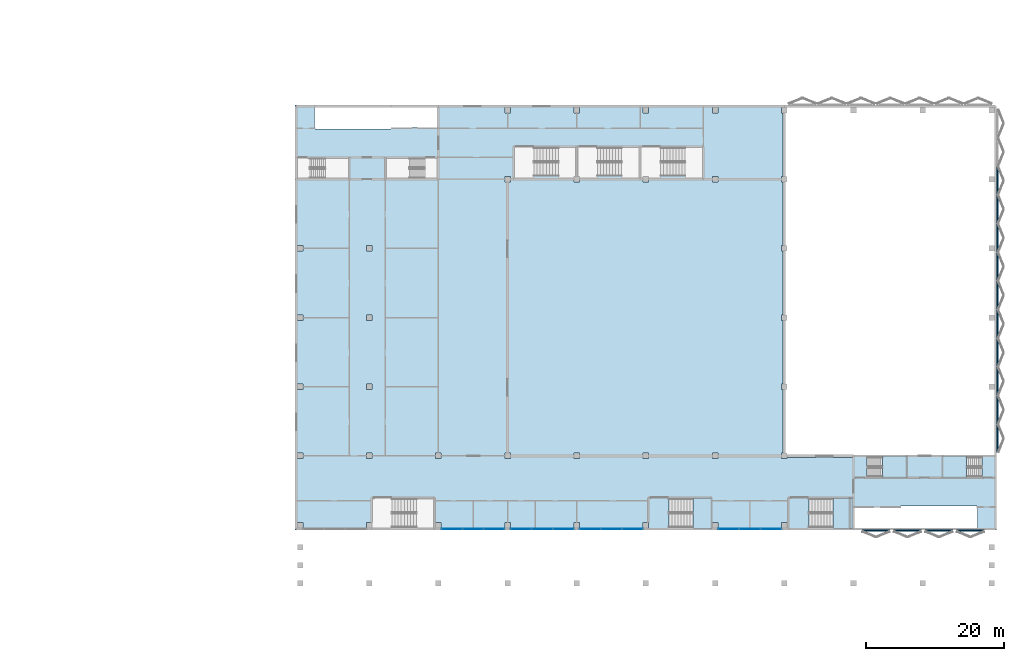
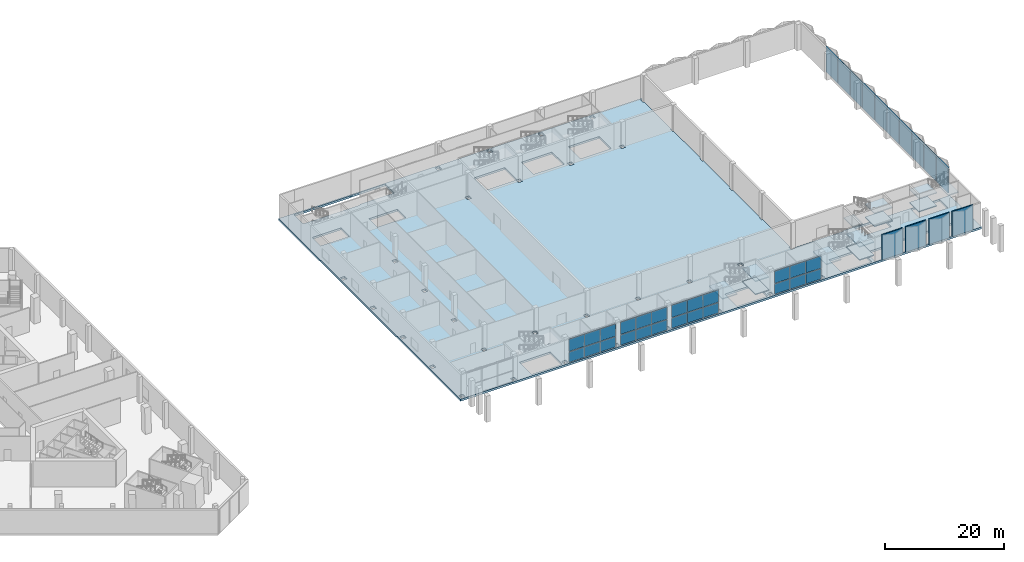
# One storey, part 5 of 35: 38 plates, 13 slabs, 8 elements without a shape of their own.
"""IFC4 building model written with IfcOpenShell, lengths in metres."""

from ifc_helpers import new_model, si_unit, direction, frame, origin, origin_2d, place, context, subcontext, project, spatial, polyline, rectangle, outline, extrude, material, layer, layer_set, type_object, element, aggregate, save


model = new_model("IFC4")

# Units and contexts
model_context = context("Model", 3, precision=1e-05, world=origin(), true_north=direction((0.0, 1.0)))
body_context = subcontext(model_context, "Body", "Model", "MODEL_VIEW")
ifc_project = project(units=[si_unit("LENGTHUNIT", "METRE"), si_unit("AREAUNIT", "SQUARE_METRE"), si_unit("VOLUMEUNIT", "CUBIC_METRE"), si_unit("PLANEANGLEUNIT", "RADIAN"), si_unit("MASSUNIT", "GRAM", prefix="KILO")], contexts=[model_context])

# Site, building, storey
site_placement = place(None, origin())
site = spatial("IfcSite", under=ifc_project, at=site_placement, CompositionType="ELEMENT")
building_placement = place(site_placement, origin())
building = spatial("IfcBuilding", under=site, at=building_placement, Name="Jabali Bay Hotel Tower and Convention Centre", CompositionType="ELEMENT")
storey_placement = place(building_placement, frame((0.0, 0.0, 15.0)))
storey = spatial("IfcBuildingStorey", under=building, at=storey_placement, Name="L02", CompositionType="ELEMENT", Elevation=15.0)

# Curtain wall, plates
ifc_material_1 = material(Name="Aluminium 6063-T5 and glass", Category="aluminium")
curtain_wall_type = type_object("IfcCurtainWallType", Name="CC CW5 Unitised Curtain Wall", PredefinedType="NOTDEFINED", material=ifc_material_1)
curtain_wall_1_placement = place(storey_placement, origin())
curtain_wall_1 = element("IfcCurtainWall", 1, at=curtain_wall_1_placement, inside=storey, type_object=curtain_wall_type, Name="CC CW5 run 2", PredefinedType="NOTDEFINED")
ifc_material_2 = material(Name="Glass IGU 28", Category="glass")
ifc_layer_1 = layer(ifc_material_2, 0.028076171875)
ifc_layer_set_1 = layer_set([ifc_layer_1], Name="Glass IGU 28")
plate_type_1 = type_object("IfcPlateType", Name="CC Curtain Wall Glass Panel 28", PredefinedType="CURTAIN_PANEL", material=ifc_layer_set_1)
plate_1_placement = place(storey_placement, frame((172.6484375, 49.449951171875, 0.119873046875), z_axis=(0.0, 0.0, 1.0), x_axis=(1.0, 0.0, 0.0)))
plate_1 = element("IfcPlate", 2, at=plate_1_placement, type_object=plate_type_1, Name="CC-CW5 panel 1.1", PredefinedType="CURTAIN_PANEL", context=body_context, shape_type="SweptSolid", body=[
    extrude(rectangle(XDim=2.9765625, YDim=0.028076171875, at=origin_2d()), origin(), (0.0, 0.0, 1.0), 2.1201171875),
])
plate_2_placement = place(storey_placement, frame((172.6484375, 49.449951171875, 2.35986328125), z_axis=(0.0, 0.0, 1.0), x_axis=(1.0, 0.0, 0.0)))
plate_2 = element("IfcPlate", 3, at=plate_2_placement, type_object=plate_type_1, Name="CC-CW5 panel 1.2", PredefinedType="CURTAIN_PANEL", context=body_context, shape_type="SweptSolid", body=[
    extrude(rectangle(XDim=2.9765625, YDim=0.028076171875, at=origin_2d()), origin(), (0.0, 0.0, 1.0), 2.510009765625),
])
plate_3_placement = place(storey_placement, frame((175.699951171875, 49.449951171875, 0.119873046875), z_axis=(0.0, 0.0, 1.0), x_axis=(1.0, 0.0, 0.0)))
plate_3 = element("IfcPlate", 4, at=plate_3_placement, type_object=plate_type_1, Name="CC-CW5 panel 2.1", PredefinedType="CURTAIN_PANEL", context=body_context, shape_type="SweptSolid", body=[
    extrude(rectangle(XDim=3.006591796875, YDim=0.028076171875, at=origin_2d()), origin(), (0.0, 0.0, 1.0), 2.1201171875),
])
plate_4_placement = place(storey_placement, frame((175.699951171875, 49.449951171875, 2.35986328125), z_axis=(0.0, 0.0, 1.0), x_axis=(1.0, 0.0, 0.0)))
plate_4 = element("IfcPlate", 5, at=plate_4_placement, type_object=plate_type_1, Name="CC-CW5 panel 2.2", PredefinedType="CURTAIN_PANEL", context=body_context, shape_type="SweptSolid", body=[
    extrude(rectangle(XDim=3.006591796875, YDim=0.028076171875, at=origin_2d()), origin(), (0.0, 0.0, 1.0), 2.510009765625),
])
plate_5_placement = place(storey_placement, frame((178.751708984375, 49.449951171875, 0.119873046875), z_axis=(0.0, 0.0, 1.0), x_axis=(1.0, 0.0, 0.0)))
plate_5 = element("IfcPlate", 6, at=plate_5_placement, type_object=plate_type_1, Name="CC-CW5 panel 3.1", PredefinedType="CURTAIN_PANEL", context=body_context, shape_type="SweptSolid", body=[
    extrude(rectangle(XDim=2.9765625, YDim=0.028076171875, at=origin_2d()), origin(), (0.0, 0.0, 1.0), 2.1201171875),
])
plate_6_placement = place(storey_placement, frame((178.751708984375, 49.449951171875, 2.35986328125), z_axis=(0.0, 0.0, 1.0), x_axis=(1.0, 0.0, 0.0)))
plate_6 = element("IfcPlate", 7, at=plate_6_placement, type_object=plate_type_1, Name="CC-CW5 panel 3.2", PredefinedType="CURTAIN_PANEL", context=body_context, shape_type="SweptSolid", body=[
    extrude(rectangle(XDim=2.9765625, YDim=0.028076171875, at=origin_2d()), origin(), (0.0, 0.0, 1.0), 2.510009765625),
])
aggregate(curtain_wall_1, [plate_1, plate_2, plate_3, plate_4, plate_5, plate_6])

curtain_wall_2_placement = place(storey_placement, origin())
curtain_wall_2 = element("IfcCurtainWall", 8, at=curtain_wall_2_placement, inside=storey, type_object=curtain_wall_type, Name="CC CW5 run 3", PredefinedType="NOTDEFINED")
plate_7_placement = place(storey_placement, frame((182.6484375, 49.449951171875, 0.119873046875), z_axis=(0.0, 0.0, 1.0), x_axis=(1.0, 0.0, 0.0)))
plate_7 = element("IfcPlate", 9, at=plate_7_placement, type_object=plate_type_1, Name="CC-CW5 panel 1.1", PredefinedType="CURTAIN_PANEL", context=body_context, shape_type="SweptSolid", body=[
    extrude(rectangle(XDim=2.9765625, YDim=0.028076171875, at=origin_2d()), origin(), (0.0, 0.0, 1.0), 2.1201171875),
])
plate_8_placement = place(storey_placement, frame((182.6484375, 49.449951171875, 2.35986328125), z_axis=(0.0, 0.0, 1.0), x_axis=(1.0, 0.0, 0.0)))
plate_8 = element("IfcPlate", 10, at=plate_8_placement, type_object=plate_type_1, Name="CC-CW5 panel 1.2", PredefinedType="CURTAIN_PANEL", context=body_context, shape_type="SweptSolid", body=[
    extrude(rectangle(XDim=2.9765625, YDim=0.028076171875, at=origin_2d()), origin(), (0.0, 0.0, 1.0), 2.510009765625),
])
plate_9_placement = place(storey_placement, frame((185.699951171875, 49.449951171875, 0.119873046875), z_axis=(0.0, 0.0, 1.0), x_axis=(1.0, 0.0, 0.0)))
plate_9 = element("IfcPlate", 11, at=plate_9_placement, type_object=plate_type_1, Name="CC-CW5 panel 2.1", PredefinedType="CURTAIN_PANEL", context=body_context, shape_type="SweptSolid", body=[
    extrude(rectangle(XDim=3.006591796875, YDim=0.028076171875, at=origin_2d()), origin(), (0.0, 0.0, 1.0), 2.1201171875),
])
plate_10_placement = place(storey_placement, frame((185.699951171875, 49.449951171875, 2.35986328125), z_axis=(0.0, 0.0, 1.0), x_axis=(1.0, 0.0, 0.0)))
plate_10 = element("IfcPlate", 12, at=plate_10_placement, type_object=plate_type_1, Name="CC-CW5 panel 2.2", PredefinedType="CURTAIN_PANEL", context=body_context, shape_type="SweptSolid", body=[
    extrude(rectangle(XDim=3.006591796875, YDim=0.028076171875, at=origin_2d()), origin(), (0.0, 0.0, 1.0), 2.510009765625),
])
plate_11_placement = place(storey_placement, frame((188.751708984375, 49.449951171875, 0.119873046875), z_axis=(0.0, 0.0, 1.0), x_axis=(1.0, 0.0, 0.0)))
plate_11 = element("IfcPlate", 13, at=plate_11_placement, type_object=plate_type_1, Name="CC-CW5 panel 3.1", PredefinedType="CURTAIN_PANEL", context=body_context, shape_type="SweptSolid", body=[
    extrude(rectangle(XDim=2.9765625, YDim=0.028076171875, at=origin_2d()), origin(), (0.0, 0.0, 1.0), 2.1201171875),
])
plate_12_placement = place(storey_placement, frame((188.751708984375, 49.449951171875, 2.35986328125), z_axis=(0.0, 0.0, 1.0), x_axis=(1.0, 0.0, 0.0)))
plate_12 = element("IfcPlate", 14, at=plate_12_placement, type_object=plate_type_1, Name="CC-CW5 panel 3.2", PredefinedType="CURTAIN_PANEL", context=body_context, shape_type="SweptSolid", body=[
    extrude(rectangle(XDim=2.9765625, YDim=0.028076171875, at=origin_2d()), origin(), (0.0, 0.0, 1.0), 2.510009765625),
])
aggregate(curtain_wall_2, [plate_7, plate_8, plate_9, plate_10, plate_11, plate_12])

curtain_wall_3_placement = place(storey_placement, origin())
curtain_wall_3 = element("IfcCurtainWall", 15, at=curtain_wall_3_placement, inside=storey, type_object=curtain_wall_type, Name="CC CW5 run 4", PredefinedType="NOTDEFINED")
plate_13_placement = place(storey_placement, frame((192.6484375, 49.449951171875, 0.119873046875), z_axis=(0.0, 0.0, 1.0), x_axis=(1.0, 0.0, 0.0)))
plate_13 = element("IfcPlate", 16, at=plate_13_placement, type_object=plate_type_1, Name="CC-CW5 panel 1.1", PredefinedType="CURTAIN_PANEL", context=body_context, shape_type="SweptSolid", body=[
    extrude(rectangle(XDim=2.9765625, YDim=0.028076171875, at=origin_2d()), origin(), (0.0, 0.0, 1.0), 2.1201171875),
])
plate_14_placement = place(storey_placement, frame((192.6484375, 49.449951171875, 2.35986328125), z_axis=(0.0, 0.0, 1.0), x_axis=(1.0, 0.0, 0.0)))
plate_14 = element("IfcPlate", 17, at=plate_14_placement, type_object=plate_type_1, Name="CC-CW5 panel 1.2", PredefinedType="CURTAIN_PANEL", context=body_context, shape_type="SweptSolid", body=[
    extrude(rectangle(XDim=2.9765625, YDim=0.028076171875, at=origin_2d()), origin(), (0.0, 0.0, 1.0), 2.510009765625),
])
plate_15_placement = place(storey_placement, frame((195.699951171875, 49.449951171875, 0.119873046875), z_axis=(0.0, 0.0, 1.0), x_axis=(1.0, 0.0, 0.0)))
plate_15 = element("IfcPlate", 18, at=plate_15_placement, type_object=plate_type_1, Name="CC-CW5 panel 2.1", PredefinedType="CURTAIN_PANEL", context=body_context, shape_type="SweptSolid", body=[
    extrude(rectangle(XDim=3.006591796875, YDim=0.028076171875, at=origin_2d()), origin(), (0.0, 0.0, 1.0), 2.1201171875),
])
plate_16_placement = place(storey_placement, frame((195.699951171875, 49.449951171875, 2.35986328125), z_axis=(0.0, 0.0, 1.0), x_axis=(1.0, 0.0, 0.0)))
plate_16 = element("IfcPlate", 19, at=plate_16_placement, type_object=plate_type_1, Name="CC-CW5 panel 2.2", PredefinedType="CURTAIN_PANEL", context=body_context, shape_type="SweptSolid", body=[
    extrude(rectangle(XDim=3.006591796875, YDim=0.028076171875, at=origin_2d()), origin(), (0.0, 0.0, 1.0), 2.510009765625),
])
plate_17_placement = place(storey_placement, frame((198.751708984375, 49.449951171875, 0.119873046875), z_axis=(0.0, 0.0, 1.0), x_axis=(1.0, 0.0, 0.0)))
plate_17 = element("IfcPlate", 20, at=plate_17_placement, type_object=plate_type_1, Name="CC-CW5 panel 3.1", PredefinedType="CURTAIN_PANEL", context=body_context, shape_type="SweptSolid", body=[
    extrude(rectangle(XDim=2.9765625, YDim=0.028076171875, at=origin_2d()), origin(), (0.0, 0.0, 1.0), 2.1201171875),
])
plate_18_placement = place(storey_placement, frame((198.751708984375, 49.449951171875, 2.35986328125), z_axis=(0.0, 0.0, 1.0), x_axis=(1.0, 0.0, 0.0)))
plate_18 = element("IfcPlate", 21, at=plate_18_placement, type_object=plate_type_1, Name="CC-CW5 panel 3.2", PredefinedType="CURTAIN_PANEL", context=body_context, shape_type="SweptSolid", body=[
    extrude(rectangle(XDim=2.9765625, YDim=0.028076171875, at=origin_2d()), origin(), (0.0, 0.0, 1.0), 2.510009765625),
])
aggregate(curtain_wall_3, [plate_13, plate_14, plate_15, plate_16, plate_17, plate_18])

curtain_wall_4_placement = place(storey_placement, origin())
curtain_wall_4 = element("IfcCurtainWall", 22, at=curtain_wall_4_placement, inside=storey, type_object=curtain_wall_type, Name="CC CW5 run 5", PredefinedType="NOTDEFINED")
plate_19_placement = place(storey_placement, frame((212.6484375, 49.449951171875, 0.119873046875), z_axis=(0.0, 0.0, 1.0), x_axis=(1.0, 0.0, 0.0)))
plate_19 = element("IfcPlate", 23, at=plate_19_placement, type_object=plate_type_1, Name="CC-CW5 panel 1.1", PredefinedType="CURTAIN_PANEL", context=body_context, shape_type="SweptSolid", body=[
    extrude(rectangle(XDim=2.9765625, YDim=0.028076171875, at=origin_2d()), origin(), (0.0, 0.0, 1.0), 2.1201171875),
])
plate_20_placement = place(storey_placement, frame((212.6484375, 49.449951171875, 2.35986328125), z_axis=(0.0, 0.0, 1.0), x_axis=(1.0, 0.0, 0.0)))
plate_20 = element("IfcPlate", 24, at=plate_20_placement, type_object=plate_type_1, Name="CC-CW5 panel 1.2", PredefinedType="CURTAIN_PANEL", context=body_context, shape_type="SweptSolid", body=[
    extrude(rectangle(XDim=2.9765625, YDim=0.028076171875, at=origin_2d()), origin(), (0.0, 0.0, 1.0), 2.510009765625),
])
plate_21_placement = place(storey_placement, frame((215.699951171875, 49.449951171875, 0.119873046875), z_axis=(0.0, 0.0, 1.0), x_axis=(1.0, 0.0, 0.0)))
plate_21 = element("IfcPlate", 25, at=plate_21_placement, type_object=plate_type_1, Name="CC-CW5 panel 2.1", PredefinedType="CURTAIN_PANEL", context=body_context, shape_type="SweptSolid", body=[
    extrude(rectangle(XDim=3.006591796875, YDim=0.028076171875, at=origin_2d()), origin(), (0.0, 0.0, 1.0), 2.1201171875),
])
plate_22_placement = place(storey_placement, frame((215.699951171875, 49.449951171875, 2.35986328125), z_axis=(0.0, 0.0, 1.0), x_axis=(1.0, 0.0, 0.0)))
plate_22 = element("IfcPlate", 26, at=plate_22_placement, type_object=plate_type_1, Name="CC-CW5 panel 2.2", PredefinedType="CURTAIN_PANEL", context=body_context, shape_type="SweptSolid", body=[
    extrude(rectangle(XDim=3.006591796875, YDim=0.028076171875, at=origin_2d()), origin(), (0.0, 0.0, 1.0), 2.510009765625),
])
plate_23_placement = place(storey_placement, frame((218.751708984375, 49.449951171875, 0.119873046875), z_axis=(0.0, 0.0, 1.0), x_axis=(1.0, 0.0, 0.0)))
plate_23 = element("IfcPlate", 27, at=plate_23_placement, type_object=plate_type_1, Name="CC-CW5 panel 3.1", PredefinedType="CURTAIN_PANEL", context=body_context, shape_type="SweptSolid", body=[
    extrude(rectangle(XDim=2.9765625, YDim=0.028076171875, at=origin_2d()), origin(), (0.0, 0.0, 1.0), 2.1201171875),
])
plate_24_placement = place(storey_placement, frame((218.751708984375, 49.449951171875, 2.35986328125), z_axis=(0.0, 0.0, 1.0), x_axis=(1.0, 0.0, 0.0)))
plate_24 = element("IfcPlate", 28, at=plate_24_placement, type_object=plate_type_1, Name="CC-CW5 panel 3.2", PredefinedType="CURTAIN_PANEL", context=body_context, shape_type="SweptSolid", body=[
    extrude(rectangle(XDim=2.9765625, YDim=0.028076171875, at=origin_2d()), origin(), (0.0, 0.0, 1.0), 2.510009765625),
])
aggregate(curtain_wall_4, [plate_19, plate_20, plate_21, plate_22, plate_23, plate_24])

# Slab
ifc_material_3 = material(Name="Concrete C40", Category="concrete")
ifc_layer_2 = layer(ifc_material_3, 0.409912109375)
ifc_layer_set_2 = layer_set([ifc_layer_2], Name="Concrete C40")
slab_type_1 = type_object("IfcSlabType", Name="CC Floor Slab 410", PredefinedType="FLOOR", material=ifc_layer_set_2)
slab_1_placement = place(storey_placement, frame((0.0, 0.0, -0.409912109375)))
element("IfcSlab", 29, at=slab_1_placement, inside=storey, type_object=slab_type_1, Name="CC floor slab L02", PredefinedType="FLOOR", context=body_context, shape_type="SweptSolid", body=[
    extrude(outline(polyline([(251.39990234375, 49.300048828125), (251.39990234375, 60.0), (251.10009765625, 60.0), (230.699951171875, 60.0), (230.699951171875, 59.800048828125), (221.10009765625, 59.800048828125), (221.10009765625, 59.60009765625), (220.300048828125, 59.60009765625), (220.300048828125, 60.39990234375), (220.5, 60.39990234375), (220.5, 69.60009765625), (220.300048828125, 69.60009765625), (220.300048828125, 70.39990234375), (220.5, 70.39990234375), (220.5, 79.60009765625), (220.300048828125, 79.60009765625), (220.300048828125, 80.39990234375), (220.5, 80.39990234375), (220.5, 89.60009765625), (220.300048828125, 89.60009765625), (220.300048828125, 90.39990234375), (220.5, 90.39990234375), (220.5, 99.60009765625), (220.300048828125, 99.60009765625), (220.300048828125, 100.39990234375), (220.5, 100.39990234375), (220.5, 109.60009765625), (220.300048828125, 109.60009765625), (220.300048828125, 110.39990234375), (220.5, 110.39990234375), (220.5, 110.550048828125), (220.699951171875, 110.550048828125), (220.699951171875, 110.699951171875), (150.0, 110.699951171875), (150.0, 49.300048828125), (251.39990234375, 49.300048828125)]), holes=[polyline([(160.300048828125, 50.39990234375), (161.10009765625, 50.39990234375), (161.10009765625, 49.60009765625), (160.300048828125, 49.60009765625), (160.300048828125, 50.39990234375)]), polyline([(150.300048828125, 50.39990234375), (151.10009765625, 50.39990234375), (151.10009765625, 49.60009765625), (150.300048828125, 49.60009765625), (150.300048828125, 50.39990234375)]), polyline([(160.300048828125, 60.39990234375), (161.10009765625, 60.39990234375), (161.10009765625, 59.60009765625), (160.300048828125, 59.60009765625), (160.300048828125, 60.39990234375)]), polyline([(150.300048828125, 60.39990234375), (151.10009765625, 60.39990234375), (151.10009765625, 59.60009765625), (150.300048828125, 59.60009765625), (150.300048828125, 60.39990234375)]), polyline([(150.300048828125, 69.60009765625), (150.300048828125, 70.39990234375), (151.10009765625, 70.39990234375), (151.10009765625, 69.60009765625), (150.300048828125, 69.60009765625)]), polyline([(160.300048828125, 69.60009765625), (160.300048828125, 70.39990234375), (161.10009765625, 70.39990234375), (161.10009765625, 69.60009765625), (160.300048828125, 69.60009765625)]), polyline([(150.300048828125, 80.39990234375), (151.10009765625, 80.39990234375), (151.10009765625, 79.60009765625), (150.300048828125, 79.60009765625), (150.300048828125, 80.39990234375)]), polyline([(160.300048828125, 80.39990234375), (161.10009765625, 80.39990234375), (161.10009765625, 79.60009765625), (160.300048828125, 79.60009765625), (160.300048828125, 80.39990234375)]), polyline([(160.300048828125, 89.60009765625), (160.300048828125, 90.39990234375), (161.10009765625, 90.39990234375), (161.10009765625, 89.60009765625), (160.300048828125, 89.60009765625)]), polyline([(150.300048828125, 89.60009765625), (150.300048828125, 90.39990234375), (151.10009765625, 90.39990234375), (151.10009765625, 89.60009765625), (150.300048828125, 89.60009765625)]), polyline([(168.715087890625, 103.02490234375), (168.715087890625, 100.175048828125), (163.125, 100.175048828125), (163.125, 103.02490234375), (168.715087890625, 103.02490234375)]), polyline([(152.110107421875, 100.175048828125), (152.110107421875, 103.02490234375), (157.699951171875, 103.02490234375), (157.699951171875, 100.175048828125), (152.110107421875, 100.175048828125)]), polyline([(152.75, 110.39990234375), (152.875, 110.39990234375), (153.0, 110.39990234375), (155.5, 110.39990234375), (155.75, 110.39990234375), (158.25, 110.39990234375), (158.5, 110.39990234375), (161.0, 110.39990234375), (161.25, 110.39990234375), (163.75, 110.39990234375), (163.875, 110.39990234375), (163.949951171875, 110.39990234375), (163.949951171875, 110.47509765625), (170.625, 110.47509765625), (170.625, 107.449951171875), (164.0, 107.449951171875), (164.0, 107.375), (163.875, 107.375), (163.875, 107.25), (152.875, 107.25), (152.875, 107.375), (152.75, 107.375), (152.75, 110.39990234375)]), polyline([(200.300048828125, 50.39990234375), (201.10009765625, 50.39990234375), (201.10009765625, 49.60009765625), (200.300048828125, 49.60009765625), (200.300048828125, 50.39990234375)]), polyline([(190.300048828125, 50.39990234375), (191.10009765625, 50.39990234375), (191.10009765625, 49.60009765625), (190.300048828125, 49.60009765625), (190.300048828125, 50.39990234375)]), polyline([(170.300048828125, 50.39990234375), (171.10009765625, 50.39990234375), (171.10009765625, 49.60009765625), (170.300048828125, 49.60009765625), (170.300048828125, 50.39990234375)]), polyline([(180.300048828125, 50.39990234375), (181.10009765625, 50.39990234375), (181.10009765625, 49.60009765625), (180.300048828125, 49.60009765625), (180.300048828125, 50.39990234375)]), polyline([(164.010009765625, 49.699951171875), (164.010009765625, 53.800048828125), (170.0, 53.800048828125), (170.0, 49.699951171875), (164.010009765625, 49.699951171875)]), polyline([(200.300048828125, 60.39990234375), (201.10009765625, 60.39990234375), (201.10009765625, 59.60009765625), (200.300048828125, 59.60009765625), (200.300048828125, 60.39990234375)]), polyline([(180.300048828125, 60.39990234375), (181.10009765625, 60.39990234375), (181.10009765625, 59.60009765625), (180.300048828125, 59.60009765625), (180.300048828125, 60.39990234375)]), polyline([(190.300048828125, 60.39990234375), (191.10009765625, 60.39990234375), (191.10009765625, 59.60009765625), (190.300048828125, 59.60009765625), (190.300048828125, 60.39990234375)]), polyline([(170.300048828125, 59.60009765625), (170.300048828125, 60.39990234375), (171.10009765625, 60.39990234375), (171.10009765625, 59.60009765625), (170.300048828125, 59.60009765625)]), polyline([(180.300048828125, 99.60009765625), (180.300048828125, 100.39990234375), (181.10009765625, 100.39990234375), (181.10009765625, 99.60009765625), (180.300048828125, 99.60009765625)]), polyline([(200.300048828125, 99.60009765625), (200.300048828125, 100.39990234375), (201.10009765625, 100.39990234375), (201.10009765625, 99.60009765625), (200.300048828125, 99.60009765625)]), polyline([(190.300048828125, 99.60009765625), (190.300048828125, 100.39990234375), (191.10009765625, 100.39990234375), (191.10009765625, 99.60009765625), (190.300048828125, 99.60009765625)]), polyline([(202.8349609375, 100.449951171875), (202.8349609375, 104.550048828125), (208.824951171875, 104.550048828125), (208.824951171875, 100.449951171875), (202.8349609375, 100.449951171875)]), polyline([(193.68505859375, 100.449951171875), (193.68505859375, 104.550048828125), (199.675048828125, 104.550048828125), (199.675048828125, 100.449951171875), (193.68505859375, 100.449951171875)]), polyline([(184.534912109375, 100.449951171875), (184.534912109375, 104.550048828125), (190.52490234375, 104.550048828125), (190.52490234375, 100.449951171875), (184.534912109375, 100.449951171875)]), polyline([(190.300048828125, 109.60009765625), (190.300048828125, 110.39990234375), (191.10009765625, 110.39990234375), (191.10009765625, 109.60009765625), (190.300048828125, 109.60009765625)]), polyline([(200.300048828125, 109.60009765625), (200.300048828125, 110.39990234375), (201.10009765625, 110.39990234375), (201.10009765625, 109.60009765625), (200.300048828125, 109.60009765625)]), polyline([(181.10009765625, 110.39990234375), (181.10009765625, 109.60009765625), (180.300048828125, 109.60009765625), (180.300048828125, 110.39990234375), (181.10009765625, 110.39990234375)]), polyline([(210.300048828125, 50.39990234375), (211.10009765625, 50.39990234375), (211.10009765625, 49.60009765625), (210.300048828125, 49.60009765625), (210.300048828125, 50.39990234375)]), polyline([(220.300048828125, 50.39990234375), (221.10009765625, 50.39990234375), (221.10009765625, 49.60009765625), (220.300048828125, 49.60009765625), (220.300048828125, 50.39990234375)]), polyline([(230.77490234375, 52.550048828125), (237.39990234375, 52.550048828125), (237.39990234375, 52.625), (237.52490234375, 52.625), (237.52490234375, 52.75), (248.52490234375, 52.75), (248.52490234375, 52.625), (248.64990234375, 52.625), (248.64990234375, 49.60009765625), (248.52490234375, 49.60009765625), (248.39990234375, 49.60009765625), (245.89990234375, 49.60009765625), (245.64990234375, 49.60009765625), (243.14990234375, 49.60009765625), (242.89990234375, 49.60009765625), (240.39990234375, 49.60009765625), (240.14990234375, 49.60009765625), (237.64990234375, 49.60009765625), (237.52490234375, 49.60009765625), (237.449951171875, 49.60009765625), (237.449951171875, 49.52490234375), (230.77490234375, 49.52490234375), (230.77490234375, 52.550048828125)]), polyline([(204.010009765625, 49.699951171875), (204.010009765625, 53.800048828125), (210.0, 53.800048828125), (210.0, 49.699951171875), (204.010009765625, 49.699951171875)]), polyline([(224.260009765625, 49.699951171875), (224.260009765625, 53.800048828125), (230.25, 53.800048828125), (230.25, 49.699951171875), (224.260009765625, 49.699951171875)]), polyline([(210.300048828125, 60.39990234375), (211.10009765625, 60.39990234375), (211.10009765625, 59.60009765625), (210.300048828125, 59.60009765625), (210.300048828125, 60.39990234375)]), polyline([(210.300048828125, 100.39990234375), (211.10009765625, 100.39990234375), (211.10009765625, 99.60009765625), (210.300048828125, 99.60009765625), (210.300048828125, 100.39990234375)]), polyline([(210.300048828125, 110.39990234375), (211.10009765625, 110.39990234375), (211.10009765625, 109.60009765625), (210.300048828125, 109.60009765625), (210.300048828125, 110.39990234375)]), polyline([(232.68505859375, 56.97509765625), (232.68505859375, 59.824951171875), (238.27490234375, 59.824951171875), (238.27490234375, 56.97509765625), (232.68505859375, 56.97509765625)]), polyline([(249.2900390625, 59.824951171875), (249.2900390625, 56.97509765625), (243.699951171875, 56.97509765625), (243.699951171875, 59.824951171875), (249.2900390625, 59.824951171875)])]), origin(), (0.0, 0.0, 1.0), 0.409912109375),
])

# Plates
ifc_material_4 = material(Name="Precast concrete C40/50", Category="concrete")
ifc_layer_3 = layer(ifc_material_4, 0.199951171875)
ifc_layer_set_3 = layer_set([ifc_layer_3], Name="Precast concrete C40/50")
plate_type_2 = type_object("IfcPlateType", Name="CC Pierced precast screen 4000 x 5200", PredefinedType="USERDEFINED", material=ifc_layer_set_3)
for number, where, z_axis, x_axis, name in (
    (30, (251.5, 62.542236328125, 0.10009765625), (0.0, 0.0, 1.0), (1.0, 0.0, 0.0), "CC pierced screen E02.1"),
    (31, (251.5, 66.6845703125, 0.10009765625), (0.0, 0.0, 1.0), (1.0, 0.0, 0.0), "CC pierced screen E02.2"),
    (32, (251.5, 70.826904296875, 0.10009765625), (0.0, 0.0, 1.0), (1.0, 0.0, 0.0), "CC pierced screen E02.3"),
    (33, (251.5, 74.96923828125, 0.10009765625), (0.0, 0.0, 1.0), (1.0, 0.0, 0.0), "CC pierced screen E02.4"),
    (34, (251.5, 79.111572265625, 0.10009765625), (0.0, 0.0, 1.0), (1.0, 0.0, 0.0), "CC pierced screen E02.5"),
    (35, (251.5, 83.25390625, 0.10009765625), (0.0, 0.0, 1.0), (1.0, 0.0, 0.0), "CC pierced screen E02.6"),
    (36, (251.5, 87.396240234375, 0.10009765625), (0.0, 0.0, 1.0), (1.0, 0.0, 0.0), "CC pierced screen E02.7"),
    (37, (251.5, 91.53857421875, 0.10009765625), (0.0, 0.0, 1.0), (1.0, 0.0, 0.0), "CC pierced screen E02.8"),
    (38, (251.5, 95.6806640625, 0.10009765625), (0.0, 0.0, 1.0), (1.0, 0.0, 0.0), "CC pierced screen E02.9"),
    (39, (251.5, 99.822998046875, 0.10009765625), (0.0, 0.0, 1.0), (1.0, 0.0, 0.0), "CC pierced screen E02.10"),
):
    element("IfcPlate", number, at=place(storey_placement, frame(where, z_axis=z_axis, x_axis=x_axis)), inside=storey, type_object=plate_type_2, Name=name, ObjectType="SCREEN", PredefinedType="USERDEFINED", context=body_context, shape_type="SweptSolid", body=[
        extrude(rectangle(XDim=0.199951171875, YDim=4.0, at=origin_2d()), origin(), (0.0, 0.0, 1.0), 5.199951171875),
    ])
for number, where, z_axis, x_axis, name in (
    (40, (233.949951171875, 49.199951171875, 0.10009765625), (0.0, 0.0, 1.0), (1.0, 0.0, 0.0), "CC pierced screen S02.1"),
    (41, (238.5, 49.199951171875, 0.10009765625), (0.0, 0.0, 1.0), (1.0, 0.0, 0.0), "CC pierced screen S02.2"),
    (42, (243.050048828125, 49.199951171875, 0.10009765625), (0.0, 0.0, 1.0), (1.0, 0.0, 0.0), "CC pierced screen S02.3"),
    (43, (247.60009765625, 49.199951171875, 0.10009765625), (0.0, 0.0, 1.0), (1.0, 0.0, 0.0), "CC pierced screen S02.4"),
):
    element("IfcPlate", number, at=place(storey_placement, frame(where, z_axis=z_axis, x_axis=x_axis)), inside=storey, type_object=plate_type_2, Name=name, ObjectType="SCREEN", PredefinedType="USERDEFINED", context=body_context, shape_type="SweptSolid", body=[
        extrude(rectangle(XDim=4.0, YDim=0.199951171875, at=origin_2d()), origin(), (0.0, 0.0, 1.0), 5.199951171875),
    ])

# Stair, slabs
stair_type = type_object("IfcStairType", Name="CC Dogleg Stair 1350", PredefinedType="HALF_TURN_STAIR", material=ifc_material_3)
stair_1_placement = place(storey_placement, origin())
stair_1 = element("IfcStair", 44, at=stair_1_placement, inside=storey, type_object=stair_type, Name="L02 East stair A", PredefinedType="HALF_TURN_STAIR")
ifc_layer_4 = layer(ifc_material_3, 0.199951171875)
ifc_layer_set_4 = layer_set([ifc_layer_4], Name="Concrete C40")
slab_type_2 = type_object("IfcSlabType", Name="CC Stair Landing 200", PredefinedType="LANDING", material=ifc_layer_set_4)
slab_2_placement = place(storey_placement, frame((0.0, 0.0, 1.14990234375)))
slab_2 = element("IfcSlab", 45, at=slab_2_placement, type_object=slab_type_2, Name="CC-STEA landing 1", PredefinedType="LANDING", context=body_context, shape_type="SweptSolid", body=[
    extrude(outline(polyline([(243.550048828125, 56.824951171875), (247.06298828125, 56.824951171875), (247.06298828125, 59.97509765625), (243.550048828125, 59.97509765625), (243.550048828125, 56.824951171875)])), origin(), (0.0, 0.0, 1.0), 0.2001953125),
])
slab_3_placement = place(storey_placement, frame((0.0, 0.0, 2.5)))
slab_3 = element("IfcSlab", 46, at=slab_3_placement, type_object=slab_type_2, Name="CC-STEA landing 2", PredefinedType="LANDING", context=body_context, shape_type="SweptSolid", body=[
    extrude(outline(polyline([(249.297119140625, 56.824951171875), (251.25, 56.824951171875), (251.25, 59.97509765625), (249.297119140625, 59.97509765625), (249.297119140625, 56.824951171875)])), origin(), (0.0, 0.0, 1.0), 0.199951171875),
])
slab_4_placement = place(storey_placement, frame((0.0, 0.0, 3.85009765625)))
slab_4 = element("IfcSlab", 47, at=slab_4_placement, type_object=slab_type_2, Name="CC-STEA landing 3", PredefinedType="LANDING", context=body_context, shape_type="SweptSolid", body=[
    extrude(outline(polyline([(243.550048828125, 56.824951171875), (247.06298828125, 56.824951171875), (247.06298828125, 59.97509765625), (243.550048828125, 59.97509765625), (243.550048828125, 56.824951171875)])), origin(), (0.0, 0.0, 1.0), 0.199951171875),
])
aggregate(stair_1, [slab_2, slab_3, slab_4])

stair_2_placement = place(storey_placement, origin())
stair_2 = element("IfcStair", 48, at=stair_2_placement, inside=storey, type_object=stair_type, Name="L02 East stair B", PredefinedType="HALF_TURN_STAIR")
slab_5_placement = place(storey_placement, frame((0.0, 0.0, 1.14990234375)))
slab_5 = element("IfcSlab", 49, at=slab_5_placement, type_object=slab_type_2, Name="CC-STEB landing 1", PredefinedType="LANDING", context=body_context, shape_type="SweptSolid", body=[
    extrude(outline(polyline([(234.912109375, 56.824951171875), (238.425048828125, 56.824951171875), (238.425048828125, 59.97509765625), (234.912109375, 59.97509765625), (234.912109375, 56.824951171875)])), origin(), (0.0, 0.0, 1.0), 0.2001953125),
])
slab_6_placement = place(storey_placement, frame((0.0, 0.0, 2.5)))
slab_6 = element("IfcSlab", 50, at=slab_6_placement, type_object=slab_type_2, Name="CC-STEB landing 2", PredefinedType="LANDING", context=body_context, shape_type="SweptSolid", body=[
    extrude(outline(polyline([(230.72509765625, 56.824951171875), (232.677978515625, 56.824951171875), (232.677978515625, 59.97509765625), (230.72509765625, 59.97509765625), (230.72509765625, 56.824951171875)])), origin(), (0.0, 0.0, 1.0), 0.199951171875),
])
slab_7_placement = place(storey_placement, frame((0.0, 0.0, 3.85009765625)))
slab_7 = element("IfcSlab", 51, at=slab_7_placement, type_object=slab_type_2, Name="CC-STEB landing 3", PredefinedType="LANDING", context=body_context, shape_type="SweptSolid", body=[
    extrude(outline(polyline([(234.912109375, 56.824951171875), (238.425048828125, 56.824951171875), (238.425048828125, 59.97509765625), (234.912109375, 59.97509765625), (234.912109375, 56.824951171875)])), origin(), (0.0, 0.0, 1.0), 0.199951171875),
])
aggregate(stair_2, [slab_5, slab_6, slab_7])

stair_3_placement = place(storey_placement, origin())
stair_3 = element("IfcStair", 52, at=stair_3_placement, inside=storey, type_object=stair_type, Name="L02 South Exit Stair 2", PredefinedType="HALF_TURN_STAIR")
slab_8_placement = place(storey_placement, frame((0.0, 0.0, 1.14990234375)))
slab_8 = element("IfcSlab", 53, at=slab_8_placement, type_object=slab_type_2, Name="CC-STS2 landing 1", PredefinedType="LANDING", context=body_context, shape_type="SweptSolid", body=[
    extrude(outline(polyline([(207.51708984375, 49.550048828125), (210.14990234375, 49.550048828125), (210.14990234375, 53.949951171875), (207.51708984375, 53.949951171875), (207.51708984375, 49.550048828125)])), origin(), (0.0, 0.0, 1.0), 0.2001953125),
])
slab_9_placement = place(storey_placement, frame((0.0, 0.0, 2.5)))
slab_9 = element("IfcSlab", 54, at=slab_9_placement, type_object=slab_type_2, Name="CC-STS2 landing 2", PredefinedType="LANDING", context=body_context, shape_type="SweptSolid", body=[
    extrude(outline(polyline([(201.050048828125, 49.550048828125), (204.0029296875, 49.550048828125), (204.0029296875, 53.949951171875), (201.050048828125, 53.949951171875), (201.050048828125, 49.550048828125)])), origin(), (0.0, 0.0, 1.0), 0.199951171875),
])
slab_10_placement = place(storey_placement, frame((0.0, 0.0, 3.85009765625)))
slab_10 = element("IfcSlab", 55, at=slab_10_placement, type_object=slab_type_2, Name="CC-STS2 landing 3", PredefinedType="LANDING", context=body_context, shape_type="SweptSolid", body=[
    extrude(outline(polyline([(207.51708984375, 49.550048828125), (210.14990234375, 49.550048828125), (210.14990234375, 53.949951171875), (207.51708984375, 53.949951171875), (207.51708984375, 49.550048828125)])), origin(), (0.0, 0.0, 1.0), 0.199951171875),
])
aggregate(stair_3, [slab_8, slab_9, slab_10])

stair_4_placement = place(storey_placement, origin())
stair_4 = element("IfcStair", 56, at=stair_4_placement, inside=storey, type_object=stair_type, Name="L02 South Exit Stair 3", PredefinedType="HALF_TURN_STAIR")
slab_11_placement = place(storey_placement, frame((0.0, 0.0, 1.14990234375)))
slab_11 = element("IfcSlab", 57, at=slab_11_placement, type_object=slab_type_2, Name="CC-STS3 landing 1", PredefinedType="LANDING", context=body_context, shape_type="SweptSolid", body=[
    extrude(outline(polyline([(227.76708984375, 49.550048828125), (230.60009765625, 49.550048828125), (230.60009765625, 53.949951171875), (227.76708984375, 53.949951171875), (227.76708984375, 49.550048828125)])), origin(), (0.0, 0.0, 1.0), 0.2001953125),
])
slab_12_placement = place(storey_placement, frame((0.0, 0.0, 2.5)))
slab_12 = element("IfcSlab", 58, at=slab_12_placement, type_object=slab_type_2, Name="CC-STS3 landing 2", PredefinedType="LANDING", context=body_context, shape_type="SweptSolid", body=[
    extrude(outline(polyline([(221.300048828125, 49.550048828125), (224.2529296875, 49.550048828125), (224.2529296875, 53.949951171875), (221.300048828125, 53.949951171875), (221.300048828125, 49.550048828125)])), origin(), (0.0, 0.0, 1.0), 0.199951171875),
])
slab_13_placement = place(storey_placement, frame((0.0, 0.0, 3.85009765625)))
slab_13 = element("IfcSlab", 59, at=slab_13_placement, type_object=slab_type_2, Name="CC-STS3 landing 3", PredefinedType="LANDING", context=body_context, shape_type="SweptSolid", body=[
    extrude(outline(polyline([(227.76708984375, 49.550048828125), (230.60009765625, 49.550048828125), (230.60009765625, 53.949951171875), (227.76708984375, 53.949951171875), (227.76708984375, 49.550048828125)])), origin(), (0.0, 0.0, 1.0), 0.199951171875),
])
aggregate(stair_4, [slab_11, slab_12, slab_13])

save(model, "model.ifc")
